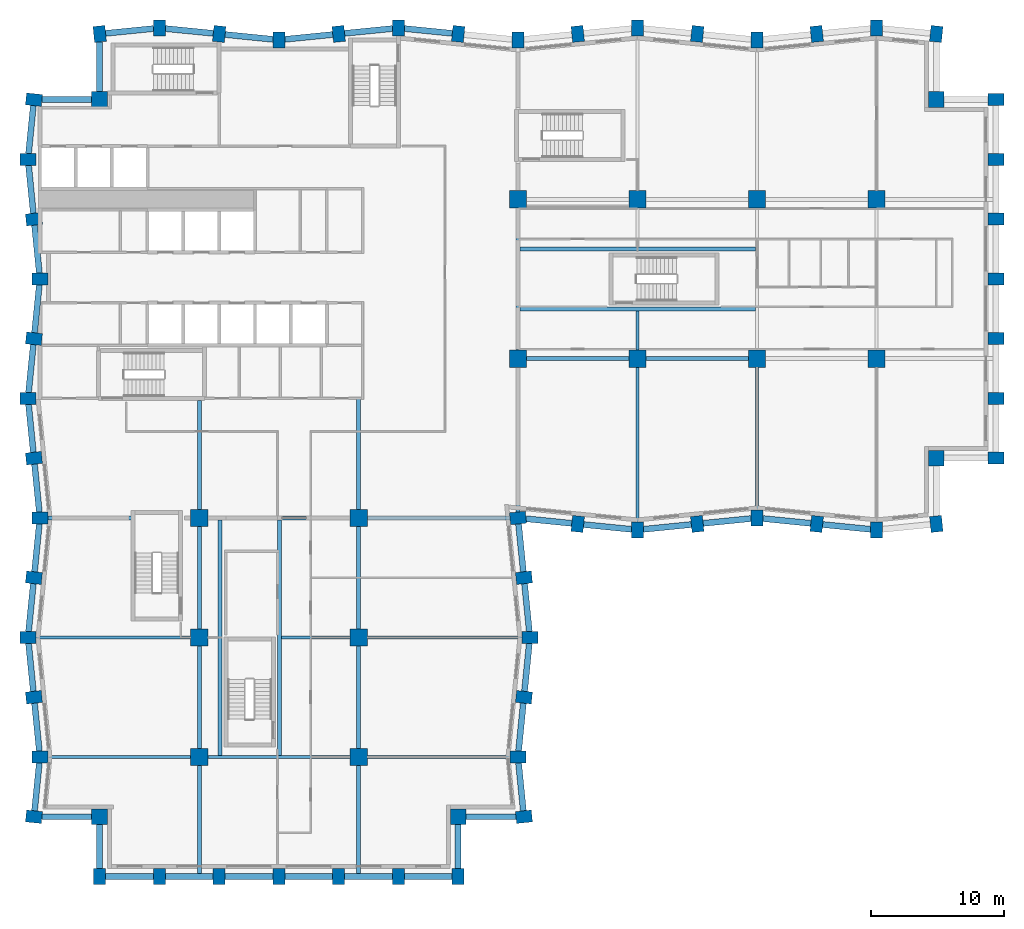
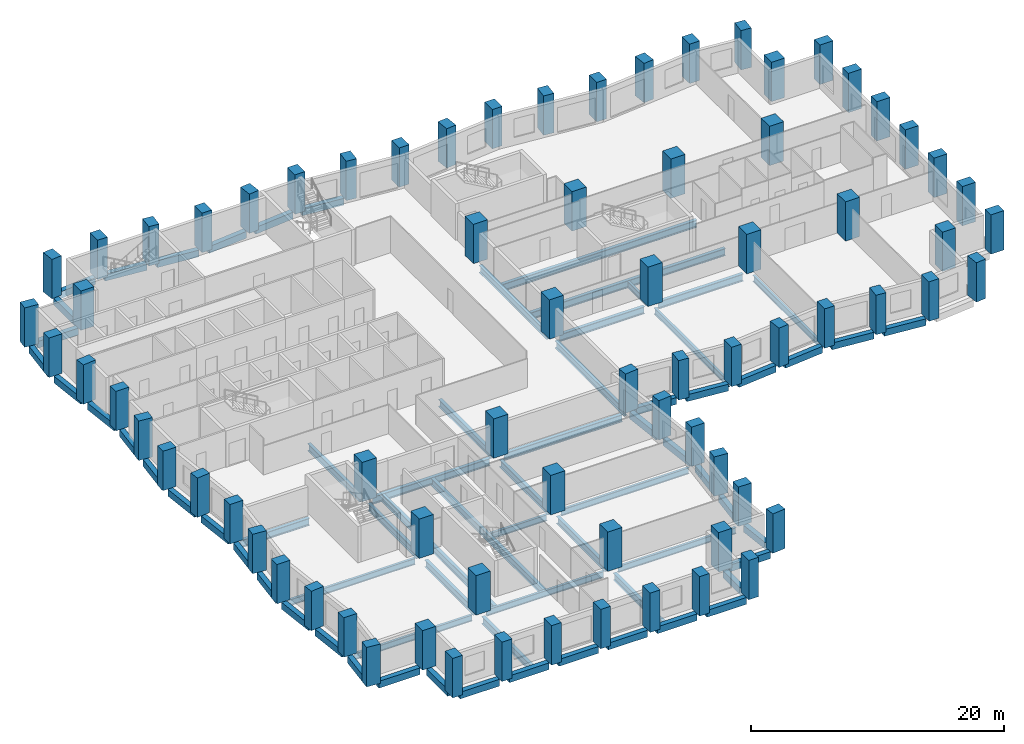
# One storey, part 1 of 11: 74 columns, 69 beams.
"""IFC4 building model written with IfcOpenShell, lengths in metres."""

import ifcopenshell
import ifcopenshell.guid

model = None  # the IFC model being written
_history = None  # IfcOwnerHistory: only IFC2X3 demands one
_inside = {}  # id of a spatial element -> (the spatial element, [elements in it])
_under = {}  # id of a project, library or spatial element -> (it, [spatial elements below it])
_declared = {}  # id of a project -> (the project, [libraries it declares])
_typed = {}  # id of a type object -> (the type object, [elements of that type])
_made_of = {}  # id of a material, layer set ... -> (it, [elements and type objects made of it])


def new_model(schema):
    """Start an empty IFC model of exactly this schema.

    Asked for "IFC4X3", IfcOpenShell would pick the latest addendum, in which some entities
    have other attributes; the version numbers below select the first issue.
    IFC2X3 requires an IfcOwnerHistory on every rooted entity: one is made here for all.
    """
    global model, _history
    if schema == "IFC4X3":
        model = ifcopenshell.file(schema_version=(4, 3, 0, 0))
    else:
        model = ifcopenshell.file(schema=schema)
    _inside.clear()
    _under.clear()
    _declared.clear()
    _typed.clear()
    _made_of.clear()
    _history = None
    if model.schema == "IFC2X3":
        org = make("IfcOrganization", Name="unknown")
        user = make(
            "IfcPersonAndOrganization",
            ThePerson=make("IfcPerson", FamilyName="unknown"),
            TheOrganization=org,
        )
        app = make(
            "IfcApplication",
            ApplicationDeveloper=org,
            Version="unknown",
            ApplicationFullName="unknown",
            ApplicationIdentifier="unknown",
        )
        _history = make(
            "IfcOwnerHistory",
            OwningUser=user,
            OwningApplication=app,
            ChangeAction="ADDED",
            CreationDate=0,
        )
    return model


def make(cls, **values):
    """One entity of the class cls with the attributes given. An attribute that is None is left unset."""
    return model.create_entity(
        cls, **{name: value for name, value in values.items() if value is not None}
    )


def rooted(cls, **values):
    """An entity with a GlobalId (a new one), such as an element, a storey or a relation."""
    return make(cls, GlobalId=ifcopenshell.guid.new(), OwnerHistory=_history, **values)


def si_unit(unit_type, name, prefix=None):
    """IfcSIUnit, for example si_unit("LENGTHUNIT", "METRE", prefix="MILLI")."""
    return make("IfcSIUnit", UnitType=unit_type, Prefix=prefix, Name=name)


def assignment(units):
    """IfcUnitAssignment: the units of a project."""
    return None if units is None else make("IfcUnitAssignment", Units=units)


def point(xyz):
    """IfcCartesianPoint."""
    return None if xyz is None else make("IfcCartesianPoint", Coordinates=xyz)


def direction(xyz):
    """IfcDirection."""
    return None if xyz is None else make("IfcDirection", DirectionRatios=xyz)


def frame(location, z_axis=None, x_axis=None):
    """IfcAxis2Placement3D, a coordinate frame: its origin and axes. An axis left out is left unset."""
    return make(
        "IfcAxis2Placement3D",
        Location=point(location),
        Axis=direction(z_axis),
        RefDirection=direction(x_axis),
    )


def frame_2d(location, x_axis=None):
    """IfcAxis2Placement2D, a coordinate frame in the plane: its origin and x axis."""
    return make(
        "IfcAxis2Placement2D", Location=point(location), RefDirection=direction(x_axis)
    )


def origin():
    """The frame at (0, 0, 0) with its axes left unset."""
    return frame((0.0, 0.0, 0.0))


def origin_2d():
    """The frame at (0, 0) in the plane with its x axis left unset."""
    return frame_2d((0.0, 0.0))


def place(relative_to, where):
    """IfcLocalPlacement: puts the frame where relative to a parent placement (None: the world)."""
    return make(
        "IfcLocalPlacement", PlacementRelTo=relative_to, RelativePlacement=where
    )


def context(
    kind, dimensions, precision=None, world=None, true_north=None, identifier=None
):
    """IfcGeometricRepresentationContext, for example the 3D "Model" context."""
    return make(
        "IfcGeometricRepresentationContext",
        ContextIdentifier=identifier,
        ContextType=kind,
        CoordinateSpaceDimension=dimensions,
        Precision=precision,
        WorldCoordinateSystem=world,
        TrueNorth=true_north,
    )


def subcontext(parent, identifier, kind, view, scale=None):
    """IfcGeometricRepresentationSubContext, for example "Body" below "Model"."""
    return make(
        "IfcGeometricRepresentationSubContext",
        ContextIdentifier=identifier,
        ContextType=kind,
        ParentContext=parent,
        TargetScale=scale,
        TargetView=view,
    )


def project(units=None, contexts=None):
    """IfcProject with its units and contexts."""
    return rooted(
        "IfcProject",
        Name="project",
        RepresentationContexts=contexts,
        UnitsInContext=assignment(units),
    )


def spatial(cls, under=None, at=None, **own):
    """A site, building, storey or space (cls), placed at a placement, below another one or the project."""
    s = rooted(cls, ObjectPlacement=at, **own)
    if under is not None:
        _under.setdefault(under.id(), (under, []))[1].append(s)
    return s


def profile(cls, at=None, kind="AREA", **sizes):
    """A parametric profile (cls). Its sizes go by their IFC names, for example OverallWidth=200.0."""
    return make(cls, ProfileType=kind, Position=at, **sizes)


def rectangle(**sizes):
    """IfcRectangleProfileDef."""
    return profile("IfcRectangleProfileDef", **sizes)


def i_section(**sizes):
    """IfcIShapeProfileDef."""
    return profile("IfcIShapeProfileDef", **sizes)


def extrude(swept, where, along, depth):
    """IfcExtrudedAreaSolid: the profile swept, set in the frame where, extruded along a direction by depth."""
    return make(
        "IfcExtrudedAreaSolid",
        SweptArea=swept,
        Position=where,
        ExtrudedDirection=direction(along),
        Depth=depth,
    )


def shape(context_of_items, identifier, shape_type, items):
    """IfcShapeRepresentation: the items that make up one representation, for example the "Body"."""
    return make(
        "IfcShapeRepresentation",
        ContextOfItems=context_of_items,
        RepresentationIdentifier=identifier,
        RepresentationType=shape_type,
        Items=items,
    )


def material(Name=None, Category=None):
    """IfcMaterial."""
    return make("IfcMaterial", Name=Name, Category=Category)


def material_profile(
    of_material, cross_section, Name=None, Category=None, Priority=None
):
    """IfcMaterialProfile: a cross section and its material."""
    return make(
        "IfcMaterialProfile",
        Name=Name,
        Material=of_material,
        Profile=cross_section,
        Priority=Priority,
        Category=Category,
    )


def profile_set(profiles, Name=None, composite=None):
    """IfcMaterialProfileSet."""
    return make(
        "IfcMaterialProfileSet",
        Name=Name,
        MaterialProfiles=profiles,
        CompositeProfile=composite,
    )


def made_of(thing, what):
    """Note that an element or type object is made of a material, layer set ...; save() writes the relation."""
    if what is not None:
        _made_of.setdefault(what.id(), (what, []))[1].append(thing)
    return thing


def type_object(cls, material=None, **own):
    """A type object (cls), such as IfcWallType, which elements share."""
    return made_of(rooted(cls, **own), material)


def element(
    cls,
    number,
    at=None,
    inside=None,
    cuts=None,
    type_object=None,
    material=None,
    context=None,
    identifier="Body",
    shape_type=None,
    held_by="IfcProductDefinitionShape",
    body=None,
    shapes=None,
    **own,
):
    """One element of the class cls, such as IfcWall. Its Tag is "e" and its number.

    at: its placement. inside: the storey or other place that contains it. cuts: it is an
    opening in that element (IfcRelVoidsElement). A single representation is given by context,
    identifier, shape_type and body (its items); several are given by shapes. held_by: the class
    of the entity that holds the representations. save() writes the other relations.
    """
    e = rooted(cls, Tag="e%d" % number, ObjectPlacement=at, **own)
    if body is not None:
        shapes = [shape(context, identifier, shape_type, body)]
    if shapes is not None:
        e.Representation = make(held_by, Representations=shapes)
    if inside is not None:
        _inside.setdefault(inside.id(), (inside, []))[1].append(e)
    if cuts is not None:
        rooted(
            "IfcRelVoidsElement", RelatingBuildingElement=cuts, RelatedOpeningElement=e
        )
    if type_object is not None:
        _typed.setdefault(type_object.id(), (type_object, []))[1].append(e)
    return made_of(e, material)


def aggregate(whole, parts):
    """IfcRelAggregates: a whole, such as a stair, and the parts it consists of."""
    return rooted("IfcRelAggregates", RelatingObject=whole, RelatedObjects=parts)


def save(model, path):
    """Write the relations noted so far, then the file.

    IfcRelAggregates (storeys below a building ...), IfcRelContainedInSpatialStructure (elements
    in a storey), IfcRelDefinesByType, IfcRelAssociatesMaterial and IfcRelDeclares: one each for
    every whole, place, type object, material and project.
    """
    for whole, parts in _under.values():
        aggregate(whole, parts)
    for where, things in _inside.values():
        rooted(
            "IfcRelContainedInSpatialStructure",
            RelatedElements=things,
            RelatingStructure=where,
        )
    for kind, things in _typed.values():
        rooted("IfcRelDefinesByType", RelatedObjects=things, RelatingType=kind)
    for what, things in _made_of.values():
        rooted("IfcRelAssociatesMaterial", RelatedObjects=things, RelatingMaterial=what)
    for by, libraries in _declared.values():
        rooted("IfcRelDeclares", RelatingContext=by, RelatedDefinitions=libraries)
    model.write(path)


model = new_model("IFC4")

# Units and contexts
model_context = context("Model", 3, precision=1e-05, world=origin(), true_north=direction((0.0, 1.0)))
body_context = subcontext(model_context, "Body", "Model", "MODEL_VIEW")
ifc_project = project(units=[si_unit("LENGTHUNIT", "METRE"), si_unit("AREAUNIT", "SQUARE_METRE"), si_unit("VOLUMEUNIT", "CUBIC_METRE"), si_unit("PLANEANGLEUNIT", "RADIAN"), si_unit("MASSUNIT", "GRAM", prefix="KILO")], contexts=[model_context])

# Site, building, storey
site_placement = place(None, origin())
site = spatial("IfcSite", under=ifc_project, at=site_placement, CompositionType="ELEMENT")
building_placement = place(site_placement, origin())
building = spatial("IfcBuilding", under=site, at=building_placement, Name="Brondeck Convention Tower", CompositionType="ELEMENT")
storey_placement = place(building_placement, frame((0.0, 0.0, 103.699951171875)))
storey = spatial("IfcBuildingStorey", under=building, at=storey_placement, Name="L24", CompositionType="ELEMENT", Elevation=103.699951171875)

# Columns
ifc_material_1 = material(Name="Concrete C70/85", Category="concrete")
ifc_material_profile_1 = material_profile(ifc_material_1, rectangle(XDim=1.199951171875, YDim=1.199951171875, at=origin_2d()), Name="Corner column 1200x1200 Concrete C70/85")
ifc_profile_set_1 = profile_set([ifc_material_profile_1], Name="Concrete C70/85")
column_type_1 = type_object("IfcColumnType", Name="Corner column 1200x1200 Concrete C70/85", PredefinedType="COLUMN", material=ifc_profile_set_1)
for number, where, z_axis, x_axis, name in (
    (1, (4.5, 4.5, 0.0), (0.0, 0.0, 1.0), (1.0, 0.0, 0.0), "STR-COL-L24-NC-SWB0"),
    (2, (31.5, 4.5, 0.0), (0.0, 0.0, 1.0), (1.0, 0.0, 0.0), "STR-COL-L24-NC-SEB0"),
    (3, (67.5, 31.5, 0.0), (0.0, 0.0, 1.0), (1.0, 0.0, 0.0), "STR-COL-L24-NC-SEA72"),
    (4, (67.5, 58.5, 0.0), (0.0, 0.0, 1.0), (1.0, 0.0, 0.0), "STR-COL-L24-NC-NEA72"),
    (5, (4.5, 58.5, 0.0), (0.0, 0.0, 1.0), (1.0, 0.0, 0.0), "STR-COL-L24-NC-NW"),
):
    element("IfcColumn", number, at=place(storey_placement, frame(where, z_axis=z_axis, x_axis=x_axis)), inside=storey, type_object=column_type_1, Name=name, PredefinedType="COLUMN", context=body_context, shape_type="SweptSolid", body=[
        extrude(rectangle(XDim=1.199951171875, YDim=1.199951171875, at=origin_2d()), origin(), (0.0, 0.0, 1.0), 3.800048828125),
    ])
ifc_material_profile_2 = material_profile(ifc_material_1, rectangle(XDim=1.300048828125, YDim=1.300048828125, at=origin_2d()), Name="Interior column 1300x1300 Concrete C70/85")
ifc_profile_set_2 = profile_set([ifc_material_profile_2], Name="Concrete C70/85")
column_type_2 = type_object("IfcColumnType", Name="Interior column 1300x1300 Concrete C70/85", PredefinedType="COLUMN", material=ifc_profile_set_2)
for number, where, z_axis, x_axis, name in (
    (6, (12.0, 9.0, 0.0), (0.0, 0.0, 1.0), (1.0, 0.0, 0.0), "STR-COL-L24-IC-01"),
    (7, (12.0, 18.0, 0.0), (0.0, 0.0, 1.0), (1.0, 0.0, 0.0), "STR-COL-L24-IC-02"),
    (8, (12.0, 27.0, 0.0), (0.0, 0.0, 1.0), (1.0, 0.0, 0.0), "STR-COL-L24-IC-03"),
    (9, (24.0, 9.0, 0.0), (0.0, 0.0, 1.0), (1.0, 0.0, 0.0), "STR-COL-L24-IC-04"),
    (10, (24.0, 18.0, 0.0), (0.0, 0.0, 1.0), (1.0, 0.0, 0.0), "STR-COL-L24-IC-05"),
    (11, (24.0, 27.0, 0.0), (0.0, 0.0, 1.0), (1.0, 0.0, 0.0), "STR-COL-L24-IC-06"),
    (12, (36.0, 39.0, 0.0), (0.0, 0.0, 1.0), (1.0, 0.0, 0.0), "STR-COL-L24-IC-07"),
    (13, (36.0, 51.0, 0.0), (0.0, 0.0, 1.0), (1.0, 0.0, 0.0), "STR-COL-L24-IC-08"),
    (14, (45.0, 39.0, 0.0), (0.0, 0.0, 1.0), (1.0, 0.0, 0.0), "STR-COL-L24-IC-09"),
    (15, (45.0, 51.0, 0.0), (0.0, 0.0, 1.0), (1.0, 0.0, 0.0), "STR-COL-L24-IC-10"),
    (16, (54.0, 39.0, 0.0), (0.0, 0.0, 1.0), (1.0, 0.0, 0.0), "STR-COL-L24-IC-11"),
    (17, (54.0, 51.0, 0.0), (0.0, 0.0, 1.0), (1.0, 0.0, 0.0), "STR-COL-L24-IC-12"),
    (18, (63.0, 39.0, 0.0), (0.0, 0.0, 1.0), (1.0, 0.0, 0.0), "STR-COL-L24-IC-13"),
    (19, (63.0, 51.0, 0.0), (0.0, 0.0, 1.0), (1.0, 0.0, 0.0), "STR-COL-L24-IC-14"),
):
    element("IfcColumn", number, at=place(storey_placement, frame(where, z_axis=z_axis, x_axis=x_axis)), inside=storey, type_object=column_type_2, Name=name, PredefinedType="COLUMN", context=body_context, shape_type="SweptSolid", body=[
        extrude(rectangle(XDim=1.300048828125, YDim=1.300048828125, at=origin_2d()), origin(), (0.0, 0.0, 1.0), 3.800048828125),
    ])
ifc_material_profile_3 = material_profile(ifc_material_1, rectangle(XDim=0.89990234375, YDim=1.199951171875, at=origin_2d()), Name="Perimeter pier 900x1200 Concrete C70/85")
ifc_profile_set_3 = profile_set([ifc_material_profile_3], Name="Concrete C70/85")
column_type_3 = type_object("IfcColumnType", Name="Perimeter pier 900x1200 Concrete C70/85", PredefinedType="COLUMN", material=ifc_profile_set_3)
for number, where, z_axis, x_axis, name in (
    (20, (4.5, 0.0, 0.0), (0.0, 0.0, 1.0), (1.0, 0.0, 0.0), "STR-COL-L24-PC-B-S0-01"),
    (21, (9.0, 0.0, 0.0), (0.0, 0.0, 1.0), (1.0, 0.0, 0.0), "STR-COL-L24-PC-B-S0-02"),
    (22, (13.5, 0.0, 0.0), (0.0, 0.0, 1.0), (1.0, 0.0, 0.0), "STR-COL-L24-PC-B-S0-03"),
    (23, (18.0, 0.0, 0.0), (0.0, 0.0, 1.0), (1.0, 0.0, 0.0), "STR-COL-L24-PC-B-S0-04"),
    (24, (22.5, 0.0, 0.0), (0.0, 0.0, 1.0), (1.0, 0.0, 0.0), "STR-COL-L24-PC-B-S0-05"),
    (25, (27.0, 0.0, 0.0), (0.0, 0.0, 1.0), (1.0, 0.0, 0.0), "STR-COL-L24-PC-B-S0-06"),
    (26, (31.5, 0.0, 0.0), (0.0, 0.0, 1.0), (1.0, 0.0, 0.0), "STR-COL-L24-PC-B-S0-07"),
    (27, (36.449951171875, 4.5, 0.0), (0.0, 0.0, 1.0), (-0.0995038382, 0.995037178292, 0.0), "STR-COL-L24-PC-B-E-05"),
    (28, (36.0, 9.0, 0.0), (0.0, 0.0, 1.0), (0.0, 1.0, 0.0), "STR-COL-L24-PC-B-E-04"),
    (29, (36.449951171875, 13.5, 0.0), (0.0, 0.0, 1.0), (0.0995038382, 0.995037178292, 0.0), "STR-COL-L24-PC-B-E-03"),
    (30, (36.89990234375, 18.0, 0.0), (0.0, 0.0, 1.0), (0.0, 1.0, 0.0), "STR-COL-L24-PC-B-E-02"),
    (31, (36.449951171875, 22.5, 0.0), (0.0, 0.0, 1.0), (-0.0995038382, 0.995037178292, 0.0), "STR-COL-L24-PC-B-E-01"),
    (32, (36.0, 27.0, 0.0), (0.0, 0.0, 1.0), (-0.0995038382, 0.995037178292, 0.0), "STR-COL-L24-PC-B-E-00"),
    (33, (40.5, 26.550048828125, 0.0), (0.0, 0.0, 1.0), (0.995037178292, -0.0995038382, 0.0), "STR-COL-L24-PC-A-S-01"),
    (34, (45.0, 26.10009765625, 0.0), (0.0, 0.0, 1.0), (1.0, 0.0, 0.0), "STR-COL-L24-PC-A-S-02"),
    (35, (49.5, 26.550048828125, 0.0), (0.0, 0.0, 1.0), (0.995037178292, 0.0995038382, 0.0), "STR-COL-L24-PC-A-S-03"),
    (36, (54.0, 27.0, 0.0), (0.0, 0.0, 1.0), (1.0, 0.0, 0.0), "STR-COL-L24-PC-A-S-04"),
    (37, (58.5, 26.550048828125, 0.0), (0.0, 0.0, 1.0), (0.995037178292, -0.0995038382, 0.0), "STR-COL-L24-PC-A-S-05"),
    (38, (63.0, 26.10009765625, 0.0), (0.0, 0.0, 1.0), (1.0, 0.0, 0.0), "STR-COL-L24-PC-A-S-06"),
    (39, (67.5, 26.550048828125, 0.0), (0.0, 0.0, 1.0), (0.995037178292, 0.0995038382, 0.0), "STR-COL-L24-PC-A-S-07"),
    (40, (72.0, 31.5, 0.0), (0.0, 0.0, 1.0), (0.0, 1.0, 0.0), "STR-COL-L24-PC-A-E72-01"),
    (41, (72.0, 36.0, 0.0), (0.0, 0.0, 1.0), (0.0, 1.0, 0.0), "STR-COL-L24-PC-A-E72-02"),
    (42, (72.0, 40.5, 0.0), (0.0, 0.0, 1.0), (0.0, 1.0, 0.0), "STR-COL-L24-PC-A-E72-03"),
    (43, (72.0, 45.0, 0.0), (0.0, 0.0, 1.0), (0.0, 1.0, 0.0), "STR-COL-L24-PC-A-E72-04"),
    (44, (72.0, 49.5, 0.0), (0.0, 0.0, 1.0), (0.0, 1.0, 0.0), "STR-COL-L24-PC-A-E72-05"),
    (45, (72.0, 54.0, 0.0), (0.0, 0.0, 1.0), (0.0, 1.0, 0.0), "STR-COL-L24-PC-A-E72-06"),
    (46, (72.0, 58.5, 0.0), (0.0, 0.0, 1.0), (0.0, 1.0, 0.0), "STR-COL-L24-PC-A-E72-07"),
    (47, (67.5, 63.449951171875, 0.0), (0.0, 0.0, 1.0), (-0.995037178292, 0.0995038382, 0.0), "STR-COL-L24-PC-A-N-15"),
    (48, (63.0, 63.89990234375, 0.0), (0.0, 0.0, 1.0), (-1.0, 0.0, 0.0), "STR-COL-L24-PC-A-N-14"),
    (49, (58.5, 63.449951171875, 0.0), (0.0, 0.0, 1.0), (-0.995037178292, -0.0995038382, 0.0), "STR-COL-L24-PC-A-N-13"),
    (50, (54.0, 63.0, 0.0), (0.0, 0.0, 1.0), (-1.0, 0.0, 0.0), "STR-COL-L24-PC-A-N-12"),
    (51, (49.5, 63.449951171875, 0.0), (0.0, 0.0, 1.0), (-0.995037178292, 0.0995038382, 0.0), "STR-COL-L24-PC-A-N-11"),
    (52, (45.0, 63.89990234375, 0.0), (0.0, 0.0, 1.0), (-1.0, 0.0, 0.0), "STR-COL-L24-PC-A-N-10"),
    (53, (40.5, 63.449951171875, 0.0), (0.0, 0.0, 1.0), (-0.995037178292, -0.0995038382, 0.0), "STR-COL-L24-PC-A-N-09"),
    (54, (36.0, 63.0, 0.0), (0.0, 0.0, 1.0), (-1.0, 0.0, 0.0), "STR-COL-L24-PC-A-N-08"),
    (55, (31.5, 63.449951171875, 0.0), (0.0, 0.0, 1.0), (-0.995037178292, 0.0995038382, 0.0), "STR-COL-L24-PC-A-N-07"),
    (56, (27.0, 63.89990234375, 0.0), (0.0, 0.0, 1.0), (-1.0, 0.0, 0.0), "STR-COL-L24-PC-A-N-06"),
    (57, (22.5, 63.449951171875, 0.0), (0.0, 0.0, 1.0), (-0.995037178292, -0.0995038382, 0.0), "STR-COL-L24-PC-A-N-05"),
    (58, (18.0, 63.0, 0.0), (0.0, 0.0, 1.0), (-1.0, 0.0, 0.0), "STR-COL-L24-PC-A-N-04"),
    (59, (13.5, 63.449951171875, 0.0), (0.0, 0.0, 1.0), (-0.995037178292, 0.0995038382, 0.0), "STR-COL-L24-PC-A-N-03"),
    (60, (9.0, 63.89990234375, 0.0), (0.0, 0.0, 1.0), (-1.0, 0.0, 0.0), "STR-COL-L24-PC-A-N-02"),
    (61, (4.5, 63.449951171875, 0.0), (0.0, 0.0, 1.0), (-0.995037178292, -0.0995038382, 0.0), "STR-COL-L24-PC-A-N-01"),
    (62, (-0.449951171875, 58.5, 0.0), (0.0, 0.0, 1.0), (-0.0995038382, -0.995037178292, 0.0), "STR-COL-L24-PC-B-W-01"),
    (63, (-0.89990234375, 54.0, 0.0), (0.0, 0.0, 1.0), (0.0, -1.0, 0.0), "STR-COL-L24-PC-B-W-02"),
    (64, (-0.449951171875, 49.5, 0.0), (0.0, 0.0, 1.0), (0.0995038382, -0.995037178292, 0.0), "STR-COL-L24-PC-B-W-03"),
    (65, (0.0, 45.0, 0.0), (0.0, 0.0, 1.0), (0.0, -1.0, 0.0), "STR-COL-L24-PC-B-W-04"),
    (66, (-0.449951171875, 40.5, 0.0), (0.0, 0.0, 1.0), (-0.0995038382, -0.995037178292, 0.0), "STR-COL-L24-PC-B-W-05"),
    (67, (-0.89990234375, 36.0, 0.0), (0.0, 0.0, 1.0), (0.0, -1.0, 0.0), "STR-COL-L24-PC-B-W-06"),
    (68, (-0.449951171875, 31.5, 0.0), (0.0, 0.0, 1.0), (0.0995038382, -0.995037178292, 0.0), "STR-COL-L24-PC-B-W-07"),
    (69, (0.0, 27.0, 0.0), (0.0, 0.0, 1.0), (0.0, -1.0, 0.0), "STR-COL-L24-PC-B-W-08"),
    (70, (-0.449951171875, 22.5, 0.0), (0.0, 0.0, 1.0), (-0.0995038382, -0.995037178292, 0.0), "STR-COL-L24-PC-B-W-09"),
    (71, (-0.89990234375, 18.0, 0.0), (0.0, 0.0, 1.0), (0.0, -1.0, 0.0), "STR-COL-L24-PC-B-W-10"),
    (72, (-0.449951171875, 13.5, 0.0), (0.0, 0.0, 1.0), (0.0995038382, -0.995037178292, 0.0), "STR-COL-L24-PC-B-W-11"),
    (73, (0.0, 9.0, 0.0), (0.0, 0.0, 1.0), (0.0, -1.0, 0.0), "STR-COL-L24-PC-B-W-12"),
    (74, (-0.449951171875, 4.5, 0.0), (0.0, 0.0, 1.0), (-0.0995038382, -0.995037178292, 0.0), "STR-COL-L24-PC-B-W-13"),
):
    element("IfcColumn", number, at=place(storey_placement, frame(where, z_axis=z_axis, x_axis=x_axis)), inside=storey, type_object=column_type_3, Name=name, PredefinedType="COLUMN", context=body_context, shape_type="SweptSolid", body=[
        extrude(rectangle(XDim=0.89990234375, YDim=1.199951171875, at=origin_2d()), origin(), (0.0, 0.0, 1.0), 3.800048828125),
    ])

# Beams
ifc_material_2 = material(Name="Steel S355", Category="steel")
ifc_material_profile_4 = material_profile(ifc_material_2, i_section(OverallWidth=0.219970703125, OverallDepth=0.60009765625, WebThickness=0.011962890625, FlangeThickness=0.01904296875, FilletRadius=0.02392578125, at=origin_2d()), Name="IPE 600")
ifc_profile_set_4 = profile_set([ifc_material_profile_4], Name="Steel S355")
beam_type_1 = type_object("IfcBeamType", Name="Floor beam IPE 600", PredefinedType="BEAM", material=ifc_profile_set_4)
beam_1_placement = place(storey_placement, frame((45.0, 26.699951171875, -0.599853515625), z_axis=(0.0, 1.0, 0.0), x_axis=(-1.0, 0.0, 0.0)))
element("IfcBeam", 75, at=beam_1_placement, inside=storey, type_object=beam_type_1, Name="STR-FB-L24-001", PredefinedType="BEAM", context=body_context, shape_type="SweptSolid", body=[
    extrude(i_section(OverallWidth=0.219970703125, OverallDepth=0.60009765625, WebThickness=0.011962890625, FlangeThickness=0.01904296875, FilletRadius=0.02392578125, at=origin_2d()), origin(), (0.0, 0.0, 1.0), 11.650146484375),
])
for number, where, z_axis, x_axis, name in (
    (76, (54.0, 27.60009765625, -0.599853515625), (0.0, 1.0, 0.0), (-1.0, 0.0, 0.0), "STR-FB-L24-003"),
    (77, (0.60009765625, 9.0, -0.599853515625), (1.0, 0.0, 0.0), (0.0, 1.0, 0.0), "STR-FB-L24-009"),
):
    element("IfcBeam", number, at=place(storey_placement, frame(where, z_axis=z_axis, x_axis=x_axis)), inside=storey, type_object=beam_type_1, Name=name, PredefinedType="BEAM", context=body_context, shape_type="SweptSolid", body=[
        extrude(i_section(OverallWidth=0.219970703125, OverallDepth=0.60009765625, WebThickness=0.011962890625, FlangeThickness=0.01904296875, FilletRadius=0.02392578125, at=origin_2d()), origin(), (0.0, 0.0, 1.0), 10.75),
    ])
beam_2_placement = place(storey_placement, frame((12.64990234375, 9.0, -0.599853515625), z_axis=(1.0, 0.0, 0.0), x_axis=(0.0, 1.0, 0.0)))
element("IfcBeam", 78, at=beam_2_placement, inside=storey, type_object=beam_type_1, Name="STR-FB-L24-010", PredefinedType="BEAM", context=body_context, shape_type="SweptSolid", body=[
    extrude(i_section(OverallWidth=0.219970703125, OverallDepth=0.60009765625, WebThickness=0.011962890625, FlangeThickness=0.01904296875, FilletRadius=0.02392578125, at=origin_2d()), origin(), (0.0, 0.0, 1.0), 10.7001953125),
])
beam_3_placement = place(storey_placement, frame((24.64990234375, 9.0, -0.599853515625), z_axis=(1.0, 0.0, 0.0), x_axis=(0.0, 1.0, 0.0)))
element("IfcBeam", 79, at=beam_3_placement, inside=storey, type_object=beam_type_1, Name="STR-FB-L24-011", PredefinedType="BEAM", context=body_context, shape_type="SweptSolid", body=[
    extrude(i_section(OverallWidth=0.219970703125, OverallDepth=0.60009765625, WebThickness=0.011962890625, FlangeThickness=0.01904296875, FilletRadius=0.02392578125, at=origin_2d()), origin(), (0.0, 0.0, 1.0), 10.75),
])
for number, where, z_axis, x_axis, name in (
    (80, (-0.300048828125, 18.0, -0.599853515625), (1.0, 0.0, 0.0), (0.0, 1.0, 0.0), "STR-FB-L24-012"),
    (81, (24.64990234375, 18.0, -0.599853515625), (1.0, 0.0, 0.0), (0.0, 1.0, 0.0), "STR-FB-L24-013"),
):
    element("IfcBeam", number, at=place(storey_placement, frame(where, z_axis=z_axis, x_axis=x_axis)), inside=storey, type_object=beam_type_1, Name=name, PredefinedType="BEAM", context=body_context, shape_type="SweptSolid", body=[
        extrude(i_section(OverallWidth=0.219970703125, OverallDepth=0.60009765625, WebThickness=0.011962890625, FlangeThickness=0.01904296875, FilletRadius=0.02392578125, at=origin_2d()), origin(), (0.0, 0.0, 1.0), 11.650146484375),
    ])
beam_4_placement = place(storey_placement, frame((45.0, 39.64990234375, -0.599853515625), z_axis=(0.0, 1.0, 0.0), x_axis=(-1.0, 0.0, 0.0)))
element("IfcBeam", 82, at=beam_4_placement, inside=storey, type_object=beam_type_1, Name="STR-FB-L24-014", PredefinedType="BEAM", context=body_context, shape_type="SweptSolid", body=[
    extrude(i_section(OverallWidth=0.219970703125, OverallDepth=0.60009765625, WebThickness=0.011962890625, FlangeThickness=0.01904296875, FilletRadius=0.02392578125, at=origin_2d()), origin(), (0.0, 0.0, 1.0), 2.9501953125),
])
beam_5_placement = place(storey_placement, frame((18.199951171875, 18.0, -0.599853515625), z_axis=(1.0, 0.0, 0.0), x_axis=(0.0, 1.0, 0.0)))
element("IfcBeam", 83, at=beam_5_placement, inside=storey, type_object=beam_type_1, Name="STR-FB-L24-016", PredefinedType="BEAM", context=body_context, shape_type="SweptSolid", body=[
    extrude(i_section(OverallWidth=0.219970703125, OverallDepth=0.60009765625, WebThickness=0.011962890625, FlangeThickness=0.01904296875, FilletRadius=0.02392578125, at=origin_2d()), origin(), (0.0, 0.0, 1.0), 5.150146484375),
])
ifc_material_profile_5 = material_profile(ifc_material_2, i_section(OverallWidth=0.300048828125, OverallDepth=0.699951171875, WebThickness=0.01708984375, FlangeThickness=0.031982421875, FilletRadius=0.027099609375, at=origin_2d()), Name="HEB 700")
ifc_profile_set_5 = profile_set([ifc_material_profile_5], Name="Steel S355")
beam_type_2 = type_object("IfcBeamType", Name="Girder HEB 700", PredefinedType="BEAM", material=ifc_profile_set_5)
for number, where, z_axis, x_axis, name in (
    (84, (36.64990234375, 39.0, -0.64990234375), (1.0, 0.0, 0.0), (0.0, 1.0, 0.0), "STR-GR-L24-001"),
    (85, (45.64990234375, 39.0, -0.64990234375), (1.0, 0.0, 0.0), (0.0, 1.0, 0.0), "STR-GR-L24-002"),
):
    element("IfcBeam", number, at=place(storey_placement, frame(where, z_axis=z_axis, x_axis=x_axis)), inside=storey, type_object=beam_type_2, Name=name, PredefinedType="BEAM", context=body_context, shape_type="SweptSolid", body=[
        extrude(i_section(OverallWidth=0.300048828125, OverallDepth=0.699951171875, WebThickness=0.01708984375, FlangeThickness=0.031982421875, FilletRadius=0.027099609375, at=origin_2d()), origin(), (0.0, 0.0, 1.0), 7.7001953125),
    ])
beam_6_placement = place(storey_placement, frame((36.0, 27.4521484375, -0.64990234375), z_axis=(0.0, 1.0, 0.0), x_axis=(-1.0, 0.0, 0.0)))
element("IfcBeam", 86, at=beam_6_placement, inside=storey, type_object=beam_type_2, Name="STR-GR-L24-009", PredefinedType="BEAM", context=body_context, shape_type="SweptSolid", body=[
    extrude(i_section(OverallWidth=0.300048828125, OverallDepth=0.699951171875, WebThickness=0.01708984375, FlangeThickness=0.031982421875, FilletRadius=0.027099609375, at=origin_2d()), origin(), (0.0, 0.0, 1.0), 10.89794921875),
])
beam_7_placement = place(storey_placement, frame((36.0, 39.64990234375, -0.64990234375), z_axis=(0.0, 1.0, 0.0), x_axis=(-1.0, 0.0, 0.0)))
element("IfcBeam", 87, at=beam_7_placement, inside=storey, type_object=beam_type_2, Name="STR-GR-L24-010", PredefinedType="BEAM", context=body_context, shape_type="SweptSolid", body=[
    extrude(i_section(OverallWidth=0.300048828125, OverallDepth=0.699951171875, WebThickness=0.01708984375, FlangeThickness=0.031982421875, FilletRadius=0.027099609375, at=origin_2d()), origin(), (0.0, 0.0, 1.0), 10.7001953125),
])
beam_8_placement = place(storey_placement, frame((12.0, 35.85009765625, -0.64990234375), z_axis=(0.0, -1.0, 0.0), x_axis=(1.0, 0.0, 0.0)))
element("IfcBeam", 88, at=beam_8_placement, inside=storey, type_object=beam_type_2, Name="STR-GR-L24-013", PredefinedType="BEAM", context=body_context, shape_type="SweptSolid", body=[
    extrude(i_section(OverallWidth=0.300048828125, OverallDepth=0.699951171875, WebThickness=0.01708984375, FlangeThickness=0.031982421875, FilletRadius=0.027099609375, at=origin_2d()), origin(), (0.0, 0.0, 1.0), 8.2001953125),
])
for number, where, z_axis, x_axis, name in (
    (89, (12.0, 26.35009765625, -0.64990234375), (0.0, -1.0, 0.0), (1.0, 0.0, 0.0), "STR-GR-L24-014"),
    (90, (12.0, 17.35009765625, -0.64990234375), (0.0, -1.0, 0.0), (1.0, 0.0, 0.0), "STR-GR-L24-015"),
):
    element("IfcBeam", number, at=place(storey_placement, frame(where, z_axis=z_axis, x_axis=x_axis)), inside=storey, type_object=beam_type_2, Name=name, PredefinedType="BEAM", context=body_context, shape_type="SweptSolid", body=[
        extrude(i_section(OverallWidth=0.300048828125, OverallDepth=0.699951171875, WebThickness=0.01708984375, FlangeThickness=0.031982421875, FilletRadius=0.027099609375, at=origin_2d()), origin(), (0.0, 0.0, 1.0), 7.7001953125),
    ])
beam_9_placement = place(storey_placement, frame((12.0, 8.35009765625, -0.64990234375), z_axis=(0.0, -1.0, 0.0), x_axis=(1.0, 0.0, 0.0)))
element("IfcBeam", 91, at=beam_9_placement, inside=storey, type_object=beam_type_2, Name="STR-GR-L24-016", PredefinedType="BEAM", context=body_context, shape_type="SweptSolid", body=[
    extrude(i_section(OverallWidth=0.300048828125, OverallDepth=0.699951171875, WebThickness=0.01708984375, FlangeThickness=0.031982421875, FilletRadius=0.027099609375, at=origin_2d()), origin(), (0.0, 0.0, 1.0), 8.125),
])
beam_10_placement = place(storey_placement, frame((24.0, 35.955078125, -0.64990234375), z_axis=(0.0, -1.0, 0.0), x_axis=(1.0, 0.0, 0.0)))
element("IfcBeam", 92, at=beam_10_placement, inside=storey, type_object=beam_type_2, Name="STR-GR-L24-017", PredefinedType="BEAM", context=body_context, shape_type="SweptSolid", body=[
    extrude(i_section(OverallWidth=0.300048828125, OverallDepth=0.699951171875, WebThickness=0.01708984375, FlangeThickness=0.031982421875, FilletRadius=0.027099609375, at=origin_2d()), origin(), (0.0, 0.0, 1.0), 8.30517578125),
])
for number, where, z_axis, x_axis, name in (
    (93, (24.0, 26.35009765625, -0.64990234375), (0.0, -1.0, 0.0), (1.0, 0.0, 0.0), "STR-GR-L24-018"),
    (94, (24.0, 17.35009765625, -0.64990234375), (0.0, -1.0, 0.0), (1.0, 0.0, 0.0), "STR-GR-L24-019"),
):
    element("IfcBeam", number, at=place(storey_placement, frame(where, z_axis=z_axis, x_axis=x_axis)), inside=storey, type_object=beam_type_2, Name=name, PredefinedType="BEAM", context=body_context, shape_type="SweptSolid", body=[
        extrude(i_section(OverallWidth=0.300048828125, OverallDepth=0.699951171875, WebThickness=0.01708984375, FlangeThickness=0.031982421875, FilletRadius=0.027099609375, at=origin_2d()), origin(), (0.0, 0.0, 1.0), 7.7001953125),
    ])
beam_11_placement = place(storey_placement, frame((24.0, 8.35009765625, -0.64990234375), z_axis=(0.0, -1.0, 0.0), x_axis=(1.0, 0.0, 0.0)))
element("IfcBeam", 95, at=beam_11_placement, inside=storey, type_object=beam_type_2, Name="STR-GR-L24-020", PredefinedType="BEAM", context=body_context, shape_type="SweptSolid", body=[
    extrude(i_section(OverallWidth=0.300048828125, OverallDepth=0.699951171875, WebThickness=0.01708984375, FlangeThickness=0.031982421875, FilletRadius=0.027099609375, at=origin_2d()), origin(), (0.0, 0.0, 1.0), 8.125),
])
beam_12_placement = place(storey_placement, frame((0.60009765625, 27.0, -0.64990234375), z_axis=(1.0, 0.0, 0.0), x_axis=(0.0, 1.0, 0.0)))
element("IfcBeam", 96, at=beam_12_placement, inside=storey, type_object=beam_type_2, Name="STR-GR-L24-021", PredefinedType="BEAM", context=body_context, shape_type="SweptSolid", body=[
    extrude(i_section(OverallWidth=0.300048828125, OverallDepth=0.699951171875, WebThickness=0.01708984375, FlangeThickness=0.031982421875, FilletRadius=0.027099609375, at=origin_2d()), origin(), (0.0, 0.0, 1.0), 6.27978515625),
])
beam_13_placement = place(storey_placement, frame((12.64990234375, 27.0, -0.64990234375), z_axis=(1.0, 0.0, 0.0), x_axis=(0.0, 1.0, 0.0)))
element("IfcBeam", 97, at=beam_13_placement, inside=storey, type_object=beam_type_2, Name="STR-GR-L24-022", PredefinedType="BEAM", context=body_context, shape_type="SweptSolid", body=[
    extrude(i_section(OverallWidth=0.300048828125, OverallDepth=0.699951171875, WebThickness=0.01708984375, FlangeThickness=0.031982421875, FilletRadius=0.027099609375, at=origin_2d()), origin(), (0.0, 0.0, 1.0), 10.7001953125),
])
beam_14_placement = place(storey_placement, frame((24.64990234375, 27.0, -0.64990234375), z_axis=(1.0, 0.0, 0.0), x_axis=(0.0, 1.0, 0.0)))
element("IfcBeam", 98, at=beam_14_placement, inside=storey, type_object=beam_type_2, Name="STR-GR-L24-023", PredefinedType="BEAM", context=body_context, shape_type="SweptSolid", body=[
    extrude(i_section(OverallWidth=0.300048828125, OverallDepth=0.699951171875, WebThickness=0.01708984375, FlangeThickness=0.031982421875, FilletRadius=0.027099609375, at=origin_2d()), origin(), (0.0, 0.0, 1.0), 10.7470703125),
])
for number, where, z_axis, x_axis, name in (
    (99, (36.14990234375, 42.75, -0.64990234375), (1.0, 0.0, 0.0), (0.0, 1.0, 0.0), "STR-GR-L24-024"),
    (100, (36.14990234375, 47.25, -0.64990234375), (1.0, 0.0, 0.0), (0.0, 1.0, 0.0), "STR-GR-L24-025"),
    (101, (13.550048828125, 9.110107421875, -0.64990234375), (0.0, 1.0, 0.0), (-1.0, 0.0, 0.0), "STR-GR-L24-026"),
    (102, (18.050048828125, 9.110107421875, -0.64990234375), (0.0, 1.0, 0.0), (-1.0, 0.0, 0.0), "STR-GR-L24-027"),
):
    element("IfcBeam", number, at=place(storey_placement, frame(where, z_axis=z_axis, x_axis=x_axis)), inside=storey, type_object=beam_type_2, Name=name, PredefinedType="BEAM", context=body_context, shape_type="SweptSolid", body=[
        extrude(i_section(OverallWidth=0.300048828125, OverallDepth=0.699951171875, WebThickness=0.01708984375, FlangeThickness=0.031982421875, FilletRadius=0.027099609375, at=origin_2d()), origin(), (0.0, 0.0, 1.0), 17.739990234375),
    ])
ifc_material_profile_6 = material_profile(ifc_material_1, rectangle(XDim=0.449951171875, YDim=0.64990234375, at=origin_2d()), Name="Precast spandrel 450x650 Concrete C70/85")
ifc_profile_set_6 = profile_set([ifc_material_profile_6], Name="Concrete C70/85")
beam_type_3 = type_object("IfcBeamType", Name="Precast spandrel 450x650 Concrete C70/85", PredefinedType="SPANDREL", material=ifc_profile_set_6)
for number, where, z_axis, x_axis, name in (
    (103, (4.949951171875, 0.0, -0.324951171875), (1.0, 0.0, 0.0), (0.0, 1.0, 0.0), "STR-SP-L24-001"),
    (104, (9.449951171875, 0.0, -0.324951171875), (1.0, 0.0, 0.0), (0.0, 1.0, 0.0), "STR-SP-L24-002"),
    (105, (13.949951171875, 0.0, -0.324951171875), (1.0, 0.0, 0.0), (0.0, 1.0, 0.0), "STR-SP-L24-003"),
    (106, (18.449951171875, 0.0, -0.324951171875), (1.0, 0.0, 0.0), (0.0, 1.0, 0.0), "STR-SP-L24-004"),
    (107, (22.949951171875, 0.0, -0.324951171875), (1.0, 0.0, 0.0), (0.0, 1.0, 0.0), "STR-SP-L24-005"),
    (108, (27.449951171875, 0.0, -0.324951171875), (1.0, 0.0, 0.0), (0.0, 1.0, 0.0), "STR-SP-L24-006"),
):
    element("IfcBeam", number, at=place(storey_placement, frame(where, z_axis=z_axis, x_axis=x_axis)), inside=storey, type_object=beam_type_3, Name=name, PredefinedType="SPANDREL", context=body_context, shape_type="SweptSolid", body=[
        extrude(rectangle(XDim=0.449951171875, YDim=0.64990234375, at=origin_2d()), origin(), (0.0, 0.0, 1.0), 3.60009765625),
    ])
beam_15_placement = place(storey_placement, frame((31.5, 0.60009765625, -0.324951171875), z_axis=(0.0, 1.0, 0.0), x_axis=(-1.0, 0.0, 0.0)))
element("IfcBeam", 109, at=beam_15_placement, inside=storey, type_object=beam_type_3, Name="STR-SP-L24-007", PredefinedType="SPANDREL", context=body_context, shape_type="SweptSolid", body=[
    extrude(rectangle(XDim=0.449951171875, YDim=0.64990234375, at=origin_2d()), origin(), (0.0, 0.0, 1.0), 3.2998046875),
])
beam_16_placement = place(storey_placement, frame((32.10009765625, 4.5, -0.324951171875), z_axis=(1.0, 0.0, 0.0), x_axis=(0.0, 1.0, 0.0)))
element("IfcBeam", 110, at=beam_16_placement, inside=storey, type_object=beam_type_3, Name="STR-SP-L24-008", PredefinedType="SPANDREL", context=body_context, shape_type="SweptSolid", body=[
    extrude(rectangle(XDim=0.449951171875, YDim=0.64990234375, at=origin_2d()), origin(), (0.0, 0.0, 1.0), 3.746826171875),
])
for number, where, z_axis, x_axis, name in (
    (111, (36.4052734375, 4.94775390625, -0.324951171875), (-0.099537103649, 0.995033851182, 0.0), (-0.995033851182, -0.099537103649, 0.0), "STR-SP-L24-009"),
    (112, (36.044921875, 9.449951171875, -0.324951171875), (0.099537103649, 0.995033851182, 0.0), (-0.995033851182, 0.099537103649, 0.0), "STR-SP-L24-010"),
    (113, (36.494873046875, 13.94775390625, -0.324951171875), (0.099470334057, 0.995040528141, 0.0), (-0.995040528141, 0.099470334057, 0.0), "STR-SP-L24-011"),
    (114, (36.85498046875, 18.449951171875, -0.324951171875), (-0.099470334057, 0.995040528141, 0.0), (-0.995040528141, -0.099470334057, 0.0), "STR-SP-L24-012"),
):
    element("IfcBeam", number, at=place(storey_placement, frame(where, z_axis=z_axis, x_axis=x_axis)), inside=storey, type_object=beam_type_3, Name=name, PredefinedType="SPANDREL", context=body_context, shape_type="SweptSolid", body=[
        extrude(rectangle(XDim=0.449951171875, YDim=0.64990234375, at=origin_2d()), origin(), (0.0, 0.0, 1.0), 3.620361328125),
    ])
beam_17_placement = place(storey_placement, frame((36.4052734375, 22.94775390625, -0.324951171875), z_axis=(-0.099543756114, 0.995033185687, 0.0), x_axis=(-0.995033185687, -0.099543756114, 0.0)))
element("IfcBeam", 115, at=beam_17_placement, inside=storey, type_object=beam_type_3, Name="STR-SP-L24-013", PredefinedType="SPANDREL", context=body_context, shape_type="SweptSolid", body=[
    extrude(rectangle(XDim=0.449951171875, YDim=0.64990234375, at=origin_2d()), origin(), (0.0, 0.0, 1.0), 3.62255859375),
])
beam_18_placement = place(storey_placement, frame((36.609130859375, 26.939208984375, -0.324951171875), z_axis=(0.995032299082, -0.099552618167, 0.0), x_axis=(0.099552618167, 0.995032299082, 0.0)))
element("IfcBeam", 116, at=beam_18_placement, inside=storey, type_object=beam_type_3, Name="STR-SP-L24-014", PredefinedType="SPANDREL", context=body_context, shape_type="SweptSolid", body=[
    extrude(rectangle(XDim=0.449951171875, YDim=0.64990234375, at=origin_2d()), origin(), (0.0, 0.0, 1.0), 3.460205078125),
])
for number, where, z_axis, x_axis, name in (
    (117, (40.94775390625, 26.505126953125, -0.324951171875), (0.995040528141, -0.099470334057, 0.0), (0.099470334057, 0.995040528141, 0.0), "STR-SP-L24-015"),
    (118, (45.449951171875, 26.14501953125, -0.324951171875), (0.995040528141, 0.099470334057, 0.0), (-0.099470334057, 0.995040528141, 0.0), "STR-SP-L24-016"),
    (119, (49.94775390625, 26.5947265625, -0.324951171875), (0.995033851182, 0.099537103649, 0.0), (-0.099537103649, 0.995033851182, 0.0), "STR-SP-L24-017"),
    (120, (54.449951171875, 26.955078125, -0.324951171875), (0.995033851182, -0.099537103649, 0.0), (0.099537103649, 0.995033851182, 0.0), "STR-SP-L24-018"),
    (121, (58.94775390625, 26.505126953125, -0.324951171875), (0.995040528141, -0.099470334057, 0.0), (0.099470334057, 0.995040528141, 0.0), "STR-SP-L24-019"),
    (122, (31.05224609375, 63.494873046875, -0.324951171875), (-0.995040528141, 0.099470334057, 0.0), (-0.099470334057, -0.995040528141, 0.0), "STR-SP-L24-039"),
    (123, (26.550048828125, 63.85498046875, -0.324951171875), (-0.995040528141, -0.099470334057, 0.0), (0.099470334057, -0.995040528141, 0.0), "STR-SP-L24-040"),
    (124, (22.05224609375, 63.4052734375, -0.324951171875), (-0.995033851182, -0.099537103649, 0.0), (0.099537103649, -0.995033851182, 0.0), "STR-SP-L24-041"),
    (125, (17.550048828125, 63.044921875, -0.324951171875), (-0.995033851182, 0.099537103649, 0.0), (-0.099537103649, -0.995033851182, 0.0), "STR-SP-L24-042"),
    (126, (13.05224609375, 63.494873046875, -0.324951171875), (-0.995040528141, 0.099470334057, 0.0), (-0.099470334057, -0.995040528141, 0.0), "STR-SP-L24-043"),
    (127, (8.550048828125, 63.85498046875, -0.324951171875), (-0.995040528141, -0.099470334057, 0.0), (0.099470334057, -0.995040528141, 0.0), "STR-SP-L24-044"),
):
    element("IfcBeam", number, at=place(storey_placement, frame(where, z_axis=z_axis, x_axis=x_axis)), inside=storey, type_object=beam_type_3, Name=name, PredefinedType="SPANDREL", context=body_context, shape_type="SweptSolid", body=[
        extrude(rectangle(XDim=0.449951171875, YDim=0.64990234375, at=origin_2d()), origin(), (0.0, 0.0, 1.0), 3.620361328125),
    ])
for number, where, z_axis, x_axis, name in (
    (128, (4.5, 62.846923828125, -0.324951171875), (0.0, -1.0, 0.0), (1.0, 0.0, 0.0), "STR-SP-L24-045"),
    (129, (3.89990234375, 58.5, -0.324951171875), (-1.0, 0.0, 0.0), (0.0, -1.0, 0.0), "STR-SP-L24-046"),
):
    element("IfcBeam", number, at=place(storey_placement, frame(where, z_axis=z_axis, x_axis=x_axis)), inside=storey, type_object=beam_type_3, Name=name, PredefinedType="SPANDREL", context=body_context, shape_type="SweptSolid", body=[
        extrude(rectangle(XDim=0.449951171875, YDim=0.64990234375, at=origin_2d()), origin(), (0.0, 0.0, 1.0), 3.746826171875),
    ])
for number, where, z_axis, x_axis, name in (
    (130, (-0.494873046875, 58.05224609375, -0.324951171875), (-0.099470334057, -0.995040528141, 0.0), (0.995040528141, -0.099470334057, 0.0), "STR-SP-L24-047"),
    (131, (-0.85498046875, 53.550048828125, -0.324951171875), (0.099470334057, -0.995040528141, 0.0), (0.995040528141, 0.099470334057, 0.0), "STR-SP-L24-048"),
    (132, (-0.4052734375, 49.05224609375, -0.324951171875), (0.099537103649, -0.995033851182, 0.0), (0.995033851182, 0.099537103649, 0.0), "STR-SP-L24-049"),
    (133, (-0.044921875, 44.550048828125, -0.324951171875), (-0.099537103649, -0.995033851182, 0.0), (0.995033851182, -0.099537103649, 0.0), "STR-SP-L24-050"),
    (134, (-0.494873046875, 40.05224609375, -0.324951171875), (-0.099470334057, -0.995040528141, 0.0), (0.995040528141, -0.099470334057, 0.0), "STR-SP-L24-051"),
    (135, (-0.85498046875, 35.550048828125, -0.324951171875), (0.099470334057, -0.995040528141, 0.0), (0.995040528141, 0.099470334057, 0.0), "STR-SP-L24-052"),
    (136, (-0.4052734375, 31.05224609375, -0.324951171875), (0.099537103649, -0.995033851182, 0.0), (0.995033851182, 0.099537103649, 0.0), "STR-SP-L24-053"),
    (137, (-0.044921875, 26.550048828125, -0.324951171875), (-0.099537103649, -0.995033851182, 0.0), (0.995033851182, -0.099537103649, 0.0), "STR-SP-L24-054"),
    (138, (-0.494873046875, 22.05224609375, -0.324951171875), (-0.099470334057, -0.995040528141, 0.0), (0.995040528141, -0.099470334057, 0.0), "STR-SP-L24-055"),
    (139, (-0.85498046875, 17.550048828125, -0.324951171875), (0.099470334057, -0.995040528141, 0.0), (0.995040528141, 0.099470334057, 0.0), "STR-SP-L24-056"),
    (140, (-0.4052734375, 13.05224609375, -0.324951171875), (0.099537103649, -0.995033851182, 0.0), (0.995033851182, 0.099537103649, 0.0), "STR-SP-L24-057"),
    (141, (-0.044921875, 8.550048828125, -0.324951171875), (-0.099537103649, -0.995033851182, 0.0), (0.995033851182, -0.099537103649, 0.0), "STR-SP-L24-058"),
):
    element("IfcBeam", number, at=place(storey_placement, frame(where, z_axis=z_axis, x_axis=x_axis)), inside=storey, type_object=beam_type_3, Name=name, PredefinedType="SPANDREL", context=body_context, shape_type="SweptSolid", body=[
        extrude(rectangle(XDim=0.449951171875, YDim=0.64990234375, at=origin_2d()), origin(), (0.0, 0.0, 1.0), 3.620361328125),
    ])
beam_19_placement = place(storey_placement, frame((0.153076171875, 4.5, -0.324951171875), z_axis=(1.0, 0.0, 0.0), x_axis=(0.0, 1.0, 0.0)))
element("IfcBeam", 142, at=beam_19_placement, inside=storey, type_object=beam_type_3, Name="STR-SP-L24-059", PredefinedType="SPANDREL", context=body_context, shape_type="SweptSolid", body=[
    extrude(rectangle(XDim=0.449951171875, YDim=0.64990234375, at=origin_2d()), origin(), (0.0, 0.0, 1.0), 3.746826171875),
])
beam_20_placement = place(storey_placement, frame((4.5, 3.89990234375, -0.324951171875), z_axis=(0.0, -1.0, 0.0), x_axis=(1.0, 0.0, 0.0)))
element("IfcBeam", 143, at=beam_20_placement, inside=storey, type_object=beam_type_3, Name="STR-SP-L24-060", PredefinedType="SPANDREL", context=body_context, shape_type="SweptSolid", body=[
    extrude(rectangle(XDim=0.449951171875, YDim=0.64990234375, at=origin_2d()), origin(), (0.0, 0.0, 1.0), 3.2998046875),
])

save(model, "model.ifc")
